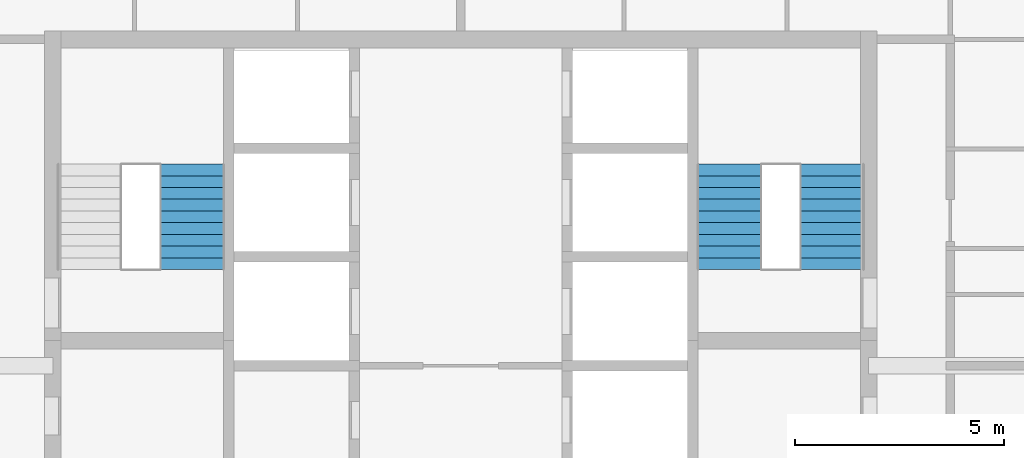
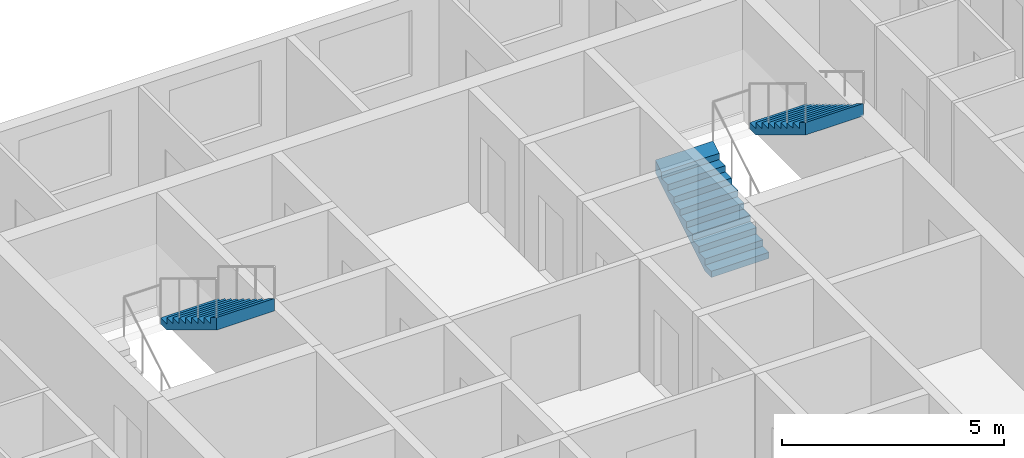
# One storey, part 14 of 16: 3 stair flights, 2 elements without a shape of their own.
"""IFC4 building model written with IfcOpenShell, lengths in metres."""

from ifc_helpers import new_model, si_unit, direction, frame, origin, place, context, subcontext, project, spatial, triangles, material, type_object, element, aggregate, save


model = new_model("IFC4")

# Units and contexts
model_context = context("Model", 3, precision=1e-05, world=origin(), true_north=direction((0.0, 1.0)))
body_context = subcontext(model_context, "Body", "Model", "MODEL_VIEW")
ifc_project = project(units=[si_unit("LENGTHUNIT", "METRE"), si_unit("AREAUNIT", "SQUARE_METRE"), si_unit("VOLUMEUNIT", "CUBIC_METRE"), si_unit("PLANEANGLEUNIT", "RADIAN"), si_unit("MASSUNIT", "GRAM", prefix="KILO")], contexts=[model_context])

# Site, building, storey
site_placement = place(None, origin())
site = spatial("IfcSite", under=ifc_project, at=site_placement, CompositionType="ELEMENT")
building_placement = place(site_placement, origin())
building = spatial("IfcBuilding", under=site, at=building_placement, Name="Ludao Terraces", CompositionType="ELEMENT")
storey_placement = place(building_placement, frame((0.0, 0.0, 238.10009765625)))
storey = spatial("IfcBuildingStorey", under=building, at=storey_placement, Name="L65", CompositionType="ELEMENT", Elevation=238.10009765625)

# Stair, stair flight
ifc_material = material(Name="Concrete C40", Category="concrete")
stair_type = type_object("IfcStairType", Name="INT Stair", PredefinedType="HALF_TURN_STAIR", material=ifc_material)
stair_1_placement = place(storey_placement, origin())
stair_1 = element("IfcStair", 1, at=stair_1_placement, inside=storey, type_object=stair_type, Name="EXIT STAIR 1", PredefinedType="HALF_TURN_STAIR")
stair_flight_type = type_object("IfcStairFlightType", Name="INT Stair flight", PredefinedType="STRAIGHT", material=ifc_material)
stair_flight_1_placement = place(storey_placement, frame((78.574951171875, 81.52001953125, 1.699951171875), z_axis=(0.0, 0.0, 1.0), x_axis=(0.0, -1.0, 0.0)))
stair_flight_1 = element("IfcStairFlight", 2, at=stair_flight_1_placement, type_object=stair_flight_type, Name="ST1 flight 2", NumberOfRisers=10, NumberOfTreads=9, PredefinedType="STRAIGHT", RiserHeight=0.17, TreadLength=0.28, context=body_context, shape_type="Tessellation", body=[
    triangles([(0.0, -0.75, 0.0), (0.0, -0.5, 0.0), (0.0, -0.25, 0.0), (0.0, 0.0, 0.0), (0.0, 0.25, 0.0), (0.0, 0.5, 0.0), (0.0, 0.75, 0.0), (0.0, -0.75, 0.169921875), (0.0, -0.5, 0.169921875), (0.0, -0.25, 0.169921875), (0.0, 0.0, 0.169921875), (0.0, 0.25, 0.169921875), (0.0, 0.5, 0.169921875), (0.0, 0.75, 0.169921875), (0.280029296875, -0.75, 0.169921875), (0.280029296875, -0.5, 0.169921875), (0.280029296875, -0.25, 0.169921875), (0.280029296875, 0.0, 0.169921875), (0.280029296875, 0.25, 0.169921875), (0.280029296875, 0.5, 0.169921875), (0.280029296875, 0.75, 0.169921875), (0.280029296875, -0.75, 0.340087890625), (0.280029296875, -0.5, 0.340087890625), (0.280029296875, -0.25, 0.340087890625), (0.280029296875, 0.0, 0.340087890625), (0.280029296875, 0.25, 0.340087890625), (0.280029296875, 0.5, 0.340087890625), (0.280029296875, 0.75, 0.340087890625), (0.56005859375, -0.75, 0.340087890625), (0.56005859375, -0.5, 0.340087890625), (0.56005859375, -0.25, 0.340087890625), (0.56005859375, 0.0, 0.340087890625), (0.56005859375, 0.25, 0.340087890625), (0.56005859375, 0.5, 0.340087890625), (0.56005859375, 0.75, 0.340087890625), (0.56005859375, -0.75, 0.510009765625), (0.56005859375, -0.5, 0.510009765625), (0.56005859375, -0.25, 0.510009765625), (0.56005859375, 0.0, 0.510009765625), (0.56005859375, 0.25, 0.510009765625), (0.56005859375, 0.5, 0.510009765625), (0.56005859375, 0.75, 0.510009765625), (0.840087890625, -0.75, 0.510009765625), (0.840087890625, -0.5, 0.510009765625), (0.840087890625, -0.25, 0.510009765625), (0.840087890625, 0.0, 0.510009765625), (0.840087890625, 0.25, 0.510009765625), (0.840087890625, 0.5, 0.510009765625), (0.840087890625, 0.75, 0.510009765625), (0.840087890625, -0.75, 0.679931640625), (0.840087890625, -0.5, 0.679931640625), (0.840087890625, -0.25, 0.679931640625), (0.840087890625, 0.0, 0.679931640625), (0.840087890625, 0.25, 0.679931640625), (0.840087890625, 0.5, 0.679931640625), (0.840087890625, 0.75, 0.679931640625), (1.1201171875, -0.75, 0.679931640625), (1.1201171875, -0.5, 0.679931640625), (1.1201171875, -0.25, 0.679931640625), (1.1201171875, 0.0, 0.679931640625), (1.1201171875, 0.25, 0.679931640625), (1.1201171875, 0.5, 0.679931640625), (1.1201171875, 0.75, 0.679931640625), (1.1201171875, -0.75, 0.85009765625), (1.1201171875, -0.5, 0.85009765625), (1.1201171875, -0.25, 0.85009765625), (1.1201171875, 0.0, 0.85009765625), (1.1201171875, 0.25, 0.85009765625), (1.1201171875, 0.5, 0.85009765625), (1.1201171875, 0.75, 0.85009765625), (1.39990234375, -0.75, 0.85009765625), (1.39990234375, -0.5, 0.85009765625), (1.39990234375, -0.25, 0.85009765625), (1.39990234375, 0.0, 0.85009765625), (1.39990234375, 0.25, 0.85009765625), (1.39990234375, 0.5, 0.85009765625), (1.39990234375, 0.75, 0.85009765625), (1.39990234375, -0.75, 1.02001953125), (1.39990234375, -0.5, 1.02001953125), (1.39990234375, -0.25, 1.02001953125), (1.39990234375, 0.0, 1.02001953125), (1.39990234375, 0.25, 1.02001953125), (1.39990234375, 0.5, 1.02001953125), (1.39990234375, 0.75, 1.02001953125), (1.679931640625, -0.75, 1.02001953125), (1.679931640625, -0.5, 1.02001953125), (1.679931640625, -0.25, 1.02001953125), (1.679931640625, 0.0, 1.02001953125), (1.679931640625, 0.25, 1.02001953125), (1.679931640625, 0.5, 1.02001953125), (1.679931640625, 0.75, 1.02001953125), (1.679931640625, -0.75, 1.18994140625), (1.679931640625, -0.5, 1.18994140625), (1.679931640625, -0.25, 1.18994140625), (1.679931640625, 0.0, 1.18994140625), (1.679931640625, 0.25, 1.18994140625), (1.679931640625, 0.5, 1.18994140625), (1.679931640625, 0.75, 1.18994140625), (1.9599609375, -0.75, 1.18994140625), (1.9599609375, -0.5, 1.18994140625), (1.9599609375, -0.25, 1.18994140625), (1.9599609375, 0.0, 1.18994140625), (1.9599609375, 0.25, 1.18994140625), (1.9599609375, 0.5, 1.18994140625), (1.9599609375, 0.75, 1.18994140625), (1.9599609375, -0.75, 1.360107421875), (1.9599609375, -0.5, 1.360107421875), (1.9599609375, -0.25, 1.360107421875), (1.9599609375, 0.0, 1.360107421875), (1.9599609375, 0.25, 1.360107421875), (1.9599609375, 0.5, 1.360107421875), (1.9599609375, 0.75, 1.360107421875), (2.239990234375, -0.75, 1.360107421875), (2.239990234375, -0.5, 1.360107421875), (2.239990234375, -0.25, 1.360107421875), (2.239990234375, 0.0, 1.360107421875), (2.239990234375, 0.25, 1.360107421875), (2.239990234375, 0.5, 1.360107421875), (2.239990234375, 0.75, 1.360107421875), (2.239990234375, -0.75, 1.530029296875), (2.239990234375, -0.5, 1.530029296875), (2.239990234375, -0.25, 1.530029296875), (2.239990234375, 0.0, 1.530029296875), (2.239990234375, 0.25, 1.530029296875), (2.239990234375, 0.5, 1.530029296875), (2.239990234375, 0.75, 1.530029296875), (2.52001953125, -0.75, 1.699951171875), (2.52001953125, -0.5, 1.699951171875), (2.52001953125, -0.25, 1.699951171875), (2.52001953125, 0.0, 1.699951171875), (2.52001953125, 0.25, 1.699951171875), (2.52001953125, 0.5, 1.699951171875), (2.52001953125, 0.75, 1.699951171875), (2.52001953125, -0.75, 1.354736328125), (2.52001953125, -0.5, 1.354736328125), (2.52001953125, -0.25, 1.354736328125), (2.52001953125, 0.0, 1.354736328125), (2.52001953125, 0.25, 1.354736328125), (2.52001953125, 0.5, 1.354736328125), (2.52001953125, 0.75, 1.354736328125), (0.288818359375, -0.75, 0.0), (0.288818359375, -0.5, 0.0), (0.288818359375, -0.25, 0.0), (0.288818359375, 0.0, 0.0), (0.288818359375, 0.25, 0.0), (0.288818359375, 0.5, 0.0), (0.288818359375, 0.75, 0.0)], [[1, 141, 134], [7, 140, 147], [134, 127, 120], [140, 126, 133], [134, 120, 113], [140, 119, 126], [134, 113, 106], [140, 112, 119], [134, 106, 99], [140, 105, 112], [99, 92, 85], [105, 91, 98], [134, 99, 85], [140, 91, 105], [85, 78, 71], [91, 77, 84], [134, 85, 71], [140, 77, 91], [71, 64, 57], [77, 63, 70], [134, 71, 57], [140, 63, 77], [57, 50, 43], [63, 49, 56], [134, 57, 43], [140, 49, 63], [43, 36, 29], [49, 35, 42], [134, 43, 29], [140, 35, 49], [29, 22, 15], [35, 21, 28], [134, 29, 15], [140, 21, 35], [1, 134, 15], [7, 21, 140], [15, 8, 1], [21, 7, 14], [1, 9, 2], [1, 8, 9], [2, 10, 3], [2, 9, 10], [3, 11, 4], [3, 10, 11], [4, 12, 5], [4, 11, 12], [5, 13, 6], [5, 12, 13], [6, 14, 7], [6, 13, 14], [8, 16, 9], [8, 15, 16], [9, 17, 10], [9, 16, 17], [10, 18, 11], [10, 17, 18], [11, 19, 12], [11, 18, 19], [12, 20, 13], [12, 19, 20], [13, 21, 14], [13, 20, 21], [15, 23, 16], [15, 22, 23], [16, 24, 17], [16, 23, 24], [17, 25, 18], [17, 24, 25], [18, 26, 19], [18, 25, 26], [19, 27, 20], [19, 26, 27], [20, 28, 21], [20, 27, 28], [22, 30, 23], [22, 29, 30], [23, 31, 24], [23, 30, 31], [24, 32, 25], [24, 31, 32], [25, 33, 26], [25, 32, 33], [26, 34, 27], [26, 33, 34], [27, 35, 28], [27, 34, 35], [29, 37, 30], [29, 36, 37], [30, 38, 31], [30, 37, 38], [31, 39, 32], [31, 38, 39], [32, 40, 33], [32, 39, 40], [33, 41, 34], [33, 40, 41], [34, 42, 35], [34, 41, 42], [36, 44, 37], [36, 43, 44], [37, 45, 38], [37, 44, 45], [38, 46, 39], [38, 45, 46], [39, 47, 40], [39, 46, 47], [40, 48, 41], [40, 47, 48], [41, 49, 42], [41, 48, 49], [43, 51, 44], [43, 50, 51], [44, 52, 45], [44, 51, 52], [45, 53, 46], [45, 52, 53], [46, 54, 47], [46, 53, 54], [47, 55, 48], [47, 54, 55], [48, 56, 49], [48, 55, 56], [50, 58, 51], [50, 57, 58], [51, 59, 52], [51, 58, 59], [52, 60, 53], [52, 59, 60], [53, 61, 54], [53, 60, 61], [54, 62, 55], [54, 61, 62], [55, 63, 56], [55, 62, 63], [57, 65, 58], [57, 64, 65], [58, 66, 59], [58, 65, 66], [59, 67, 60], [59, 66, 67], [60, 68, 61], [60, 67, 68], [61, 69, 62], [61, 68, 69], [62, 70, 63], [62, 69, 70], [64, 72, 65], [64, 71, 72], [65, 73, 66], [65, 72, 73], [66, 74, 67], [66, 73, 74], [67, 75, 68], [67, 74, 75], [68, 76, 69], [68, 75, 76], [69, 77, 70], [69, 76, 77], [71, 79, 72], [71, 78, 79], [72, 80, 73], [72, 79, 80], [73, 81, 74], [73, 80, 81], [74, 82, 75], [74, 81, 82], [75, 83, 76], [75, 82, 83], [76, 84, 77], [76, 83, 84], [78, 86, 79], [78, 85, 86], [79, 87, 80], [79, 86, 87], [80, 88, 81], [80, 87, 88], [81, 89, 82], [81, 88, 89], [82, 90, 83], [82, 89, 90], [83, 91, 84], [83, 90, 91], [85, 93, 86], [85, 92, 93], [86, 94, 87], [86, 93, 94], [87, 95, 88], [87, 94, 95], [88, 96, 89], [88, 95, 96], [89, 97, 90], [89, 96, 97], [90, 98, 91], [90, 97, 98], [92, 100, 93], [92, 99, 100], [93, 101, 94], [93, 100, 101], [94, 102, 95], [94, 101, 102], [95, 103, 96], [95, 102, 103], [96, 104, 97], [96, 103, 104], [97, 105, 98], [97, 104, 105], [99, 107, 100], [99, 106, 107], [100, 108, 101], [100, 107, 108], [101, 109, 102], [101, 108, 109], [102, 110, 103], [102, 109, 110], [103, 111, 104], [103, 110, 111], [104, 112, 105], [104, 111, 112], [106, 114, 107], [106, 113, 114], [107, 115, 108], [107, 114, 115], [108, 116, 109], [108, 115, 116], [109, 117, 110], [109, 116, 117], [110, 118, 111], [110, 117, 118], [111, 119, 112], [111, 118, 119], [113, 121, 114], [113, 120, 121], [114, 122, 115], [114, 121, 122], [115, 123, 116], [115, 122, 123], [116, 124, 117], [116, 123, 124], [117, 125, 118], [117, 124, 125], [118, 126, 119], [118, 125, 126], [120, 128, 121], [120, 127, 128], [121, 129, 122], [121, 128, 129], [122, 130, 123], [122, 129, 130], [123, 131, 124], [123, 130, 131], [124, 132, 125], [124, 131, 132], [125, 133, 126], [125, 132, 133], [127, 135, 128], [127, 134, 135], [128, 136, 129], [128, 135, 136], [129, 137, 130], [129, 136, 137], [130, 138, 131], [130, 137, 138], [131, 139, 132], [131, 138, 139], [132, 140, 133], [132, 139, 140], [134, 142, 135], [134, 141, 142], [135, 143, 136], [135, 142, 143], [136, 144, 137], [136, 143, 144], [137, 145, 138], [137, 144, 145], [138, 146, 139], [138, 145, 146], [139, 147, 140], [139, 146, 147], [141, 2, 142], [141, 1, 2], [142, 3, 143], [142, 2, 3], [143, 4, 144], [143, 3, 4], [144, 5, 145], [144, 4, 5], [145, 6, 146], [145, 5, 6], [146, 7, 147], [146, 6, 7]], closed=True),
])
aggregate(stair_1, [stair_flight_1])

# Stair, stair flights
stair_2_placement = place(storey_placement, origin())
stair_2 = element("IfcStair", 3, at=stair_2_placement, inside=storey, type_object=stair_type, Name="EXIT STAIR 2", PredefinedType="HALF_TURN_STAIR")
stair_flight_2_placement = place(storey_placement, frame((91.425048828125, 79.0, 0.0), z_axis=(0.0, 0.0, 1.0), x_axis=(0.0, 1.0, 0.0)))
stair_flight_2 = element("IfcStairFlight", 4, at=stair_flight_2_placement, type_object=stair_flight_type, Name="ST2 flight 1", NumberOfRisers=10, NumberOfTreads=9, PredefinedType="STRAIGHT", RiserHeight=0.17, TreadLength=0.28, context=body_context, shape_type="Tessellation", body=[
    triangles([(0.0, -0.75, 0.0), (0.0, -0.5, 0.0), (0.0, -0.25, 0.0), (0.0, 0.0, 0.0), (0.0, 0.25, 0.0), (0.0, 0.5, 0.0), (0.0, 0.75, 0.0), (0.0, -0.75, 0.169921875), (0.0, -0.5, 0.169921875), (0.0, -0.25, 0.169921875), (0.0, 0.0, 0.169921875), (0.0, 0.25, 0.169921875), (0.0, 0.5, 0.169921875), (0.0, 0.75, 0.169921875), (0.280029296875, -0.75, 0.169921875), (0.280029296875, -0.5, 0.169921875), (0.280029296875, -0.25, 0.169921875), (0.280029296875, 0.0, 0.169921875), (0.280029296875, 0.25, 0.169921875), (0.280029296875, 0.5, 0.169921875), (0.280029296875, 0.75, 0.169921875), (0.280029296875, -0.75, 0.340087890625), (0.280029296875, -0.5, 0.340087890625), (0.280029296875, -0.25, 0.340087890625), (0.280029296875, 0.0, 0.340087890625), (0.280029296875, 0.25, 0.340087890625), (0.280029296875, 0.5, 0.340087890625), (0.280029296875, 0.75, 0.340087890625), (0.56005859375, -0.75, 0.340087890625), (0.56005859375, -0.5, 0.340087890625), (0.56005859375, -0.25, 0.340087890625), (0.56005859375, 0.0, 0.340087890625), (0.56005859375, 0.25, 0.340087890625), (0.56005859375, 0.5, 0.340087890625), (0.56005859375, 0.75, 0.340087890625), (0.56005859375, -0.75, 0.510009765625), (0.56005859375, -0.5, 0.510009765625), (0.56005859375, -0.25, 0.510009765625), (0.56005859375, 0.0, 0.510009765625), (0.56005859375, 0.25, 0.510009765625), (0.56005859375, 0.5, 0.510009765625), (0.56005859375, 0.75, 0.510009765625), (0.840087890625, -0.75, 0.510009765625), (0.840087890625, -0.5, 0.510009765625), (0.840087890625, -0.25, 0.510009765625), (0.840087890625, 0.0, 0.510009765625), (0.840087890625, 0.25, 0.510009765625), (0.840087890625, 0.5, 0.510009765625), (0.840087890625, 0.75, 0.510009765625), (0.840087890625, -0.75, 0.679931640625), (0.840087890625, -0.5, 0.679931640625), (0.840087890625, -0.25, 0.679931640625), (0.840087890625, 0.0, 0.679931640625), (0.840087890625, 0.25, 0.679931640625), (0.840087890625, 0.5, 0.679931640625), (0.840087890625, 0.75, 0.679931640625), (1.1201171875, -0.75, 0.679931640625), (1.1201171875, -0.5, 0.679931640625), (1.1201171875, -0.25, 0.679931640625), (1.1201171875, 0.0, 0.679931640625), (1.1201171875, 0.25, 0.679931640625), (1.1201171875, 0.5, 0.679931640625), (1.1201171875, 0.75, 0.679931640625), (1.1201171875, -0.75, 0.85009765625), (1.1201171875, -0.5, 0.85009765625), (1.1201171875, -0.25, 0.85009765625), (1.1201171875, 0.0, 0.85009765625), (1.1201171875, 0.25, 0.85009765625), (1.1201171875, 0.5, 0.85009765625), (1.1201171875, 0.75, 0.85009765625), (1.39990234375, -0.75, 0.85009765625), (1.39990234375, -0.5, 0.85009765625), (1.39990234375, -0.25, 0.85009765625), (1.39990234375, 0.0, 0.85009765625), (1.39990234375, 0.25, 0.85009765625), (1.39990234375, 0.5, 0.85009765625), (1.39990234375, 0.75, 0.85009765625), (1.39990234375, -0.75, 1.02001953125), (1.39990234375, -0.5, 1.02001953125), (1.39990234375, -0.25, 1.02001953125), (1.39990234375, 0.0, 1.02001953125), (1.39990234375, 0.25, 1.02001953125), (1.39990234375, 0.5, 1.02001953125), (1.39990234375, 0.75, 1.02001953125), (1.679931640625, -0.75, 1.02001953125), (1.679931640625, -0.5, 1.02001953125), (1.679931640625, -0.25, 1.02001953125), (1.679931640625, 0.0, 1.02001953125), (1.679931640625, 0.25, 1.02001953125), (1.679931640625, 0.5, 1.02001953125), (1.679931640625, 0.75, 1.02001953125), (1.679931640625, -0.75, 1.18994140625), (1.679931640625, -0.5, 1.18994140625), (1.679931640625, -0.25, 1.18994140625), (1.679931640625, 0.0, 1.18994140625), (1.679931640625, 0.25, 1.18994140625), (1.679931640625, 0.5, 1.18994140625), (1.679931640625, 0.75, 1.18994140625), (1.9599609375, -0.75, 1.18994140625), (1.9599609375, -0.5, 1.18994140625), (1.9599609375, -0.25, 1.18994140625), (1.9599609375, 0.0, 1.18994140625), (1.9599609375, 0.25, 1.18994140625), (1.9599609375, 0.5, 1.18994140625), (1.9599609375, 0.75, 1.18994140625), (1.9599609375, -0.75, 1.360107421875), (1.9599609375, -0.5, 1.360107421875), (1.9599609375, -0.25, 1.360107421875), (1.9599609375, 0.0, 1.360107421875), (1.9599609375, 0.25, 1.360107421875), (1.9599609375, 0.5, 1.360107421875), (1.9599609375, 0.75, 1.360107421875), (2.239990234375, -0.75, 1.360107421875), (2.239990234375, -0.5, 1.360107421875), (2.239990234375, -0.25, 1.360107421875), (2.239990234375, 0.0, 1.360107421875), (2.239990234375, 0.25, 1.360107421875), (2.239990234375, 0.5, 1.360107421875), (2.239990234375, 0.75, 1.360107421875), (2.239990234375, -0.75, 1.530029296875), (2.239990234375, -0.5, 1.530029296875), (2.239990234375, -0.25, 1.530029296875), (2.239990234375, 0.0, 1.530029296875), (2.239990234375, 0.25, 1.530029296875), (2.239990234375, 0.5, 1.530029296875), (2.239990234375, 0.75, 1.530029296875), (2.52001953125, -0.75, 1.699951171875), (2.52001953125, -0.5, 1.699951171875), (2.52001953125, -0.25, 1.699951171875), (2.52001953125, 0.0, 1.699951171875), (2.52001953125, 0.25, 1.699951171875), (2.52001953125, 0.5, 1.699951171875), (2.52001953125, 0.75, 1.699951171875), (2.52001953125, -0.75, 1.354736328125), (2.52001953125, -0.5, 1.354736328125), (2.52001953125, -0.25, 1.354736328125), (2.52001953125, 0.0, 1.354736328125), (2.52001953125, 0.25, 1.354736328125), (2.52001953125, 0.5, 1.354736328125), (2.52001953125, 0.75, 1.354736328125), (0.288818359375, -0.75, 0.0), (0.288818359375, -0.5, 0.0), (0.288818359375, -0.25, 0.0), (0.288818359375, 0.0, 0.0), (0.288818359375, 0.25, 0.0), (0.288818359375, 0.5, 0.0), (0.288818359375, 0.75, 0.0)], [[1, 141, 134], [7, 140, 147], [134, 127, 120], [140, 126, 133], [134, 120, 113], [140, 119, 126], [134, 113, 106], [140, 112, 119], [134, 106, 99], [140, 105, 112], [99, 92, 85], [105, 91, 98], [134, 99, 85], [140, 91, 105], [85, 78, 71], [91, 77, 84], [134, 85, 71], [140, 77, 91], [71, 64, 57], [77, 63, 70], [134, 71, 57], [140, 63, 77], [57, 50, 43], [63, 49, 56], [134, 57, 43], [140, 49, 63], [43, 36, 29], [49, 35, 42], [134, 43, 29], [140, 35, 49], [29, 22, 15], [35, 21, 28], [134, 29, 15], [140, 21, 35], [1, 134, 15], [7, 21, 140], [15, 8, 1], [21, 7, 14], [1, 9, 2], [1, 8, 9], [2, 10, 3], [2, 9, 10], [3, 11, 4], [3, 10, 11], [4, 12, 5], [4, 11, 12], [5, 13, 6], [5, 12, 13], [6, 14, 7], [6, 13, 14], [8, 16, 9], [8, 15, 16], [9, 17, 10], [9, 16, 17], [10, 18, 11], [10, 17, 18], [11, 19, 12], [11, 18, 19], [12, 20, 13], [12, 19, 20], [13, 21, 14], [13, 20, 21], [15, 23, 16], [15, 22, 23], [16, 24, 17], [16, 23, 24], [17, 25, 18], [17, 24, 25], [18, 26, 19], [18, 25, 26], [19, 27, 20], [19, 26, 27], [20, 28, 21], [20, 27, 28], [22, 30, 23], [22, 29, 30], [23, 31, 24], [23, 30, 31], [24, 32, 25], [24, 31, 32], [25, 33, 26], [25, 32, 33], [26, 34, 27], [26, 33, 34], [27, 35, 28], [27, 34, 35], [29, 37, 30], [29, 36, 37], [30, 38, 31], [30, 37, 38], [31, 39, 32], [31, 38, 39], [32, 40, 33], [32, 39, 40], [33, 41, 34], [33, 40, 41], [34, 42, 35], [34, 41, 42], [36, 44, 37], [36, 43, 44], [37, 45, 38], [37, 44, 45], [38, 46, 39], [38, 45, 46], [39, 47, 40], [39, 46, 47], [40, 48, 41], [40, 47, 48], [41, 49, 42], [41, 48, 49], [43, 51, 44], [43, 50, 51], [44, 52, 45], [44, 51, 52], [45, 53, 46], [45, 52, 53], [46, 54, 47], [46, 53, 54], [47, 55, 48], [47, 54, 55], [48, 56, 49], [48, 55, 56], [50, 58, 51], [50, 57, 58], [51, 59, 52], [51, 58, 59], [52, 60, 53], [52, 59, 60], [53, 61, 54], [53, 60, 61], [54, 62, 55], [54, 61, 62], [55, 63, 56], [55, 62, 63], [57, 65, 58], [57, 64, 65], [58, 66, 59], [58, 65, 66], [59, 67, 60], [59, 66, 67], [60, 68, 61], [60, 67, 68], [61, 69, 62], [61, 68, 69], [62, 70, 63], [62, 69, 70], [64, 72, 65], [64, 71, 72], [65, 73, 66], [65, 72, 73], [66, 74, 67], [66, 73, 74], [67, 75, 68], [67, 74, 75], [68, 76, 69], [68, 75, 76], [69, 77, 70], [69, 76, 77], [71, 79, 72], [71, 78, 79], [72, 80, 73], [72, 79, 80], [73, 81, 74], [73, 80, 81], [74, 82, 75], [74, 81, 82], [75, 83, 76], [75, 82, 83], [76, 84, 77], [76, 83, 84], [78, 86, 79], [78, 85, 86], [79, 87, 80], [79, 86, 87], [80, 88, 81], [80, 87, 88], [81, 89, 82], [81, 88, 89], [82, 90, 83], [82, 89, 90], [83, 91, 84], [83, 90, 91], [85, 93, 86], [85, 92, 93], [86, 94, 87], [86, 93, 94], [87, 95, 88], [87, 94, 95], [88, 96, 89], [88, 95, 96], [89, 97, 90], [89, 96, 97], [90, 98, 91], [90, 97, 98], [92, 100, 93], [92, 99, 100], [93, 101, 94], [93, 100, 101], [94, 102, 95], [94, 101, 102], [95, 103, 96], [95, 102, 103], [96, 104, 97], [96, 103, 104], [97, 105, 98], [97, 104, 105], [99, 107, 100], [99, 106, 107], [100, 108, 101], [100, 107, 108], [101, 109, 102], [101, 108, 109], [102, 110, 103], [102, 109, 110], [103, 111, 104], [103, 110, 111], [104, 112, 105], [104, 111, 112], [106, 114, 107], [106, 113, 114], [107, 115, 108], [107, 114, 115], [108, 116, 109], [108, 115, 116], [109, 117, 110], [109, 116, 117], [110, 118, 111], [110, 117, 118], [111, 119, 112], [111, 118, 119], [113, 121, 114], [113, 120, 121], [114, 122, 115], [114, 121, 122], [115, 123, 116], [115, 122, 123], [116, 124, 117], [116, 123, 124], [117, 125, 118], [117, 124, 125], [118, 126, 119], [118, 125, 126], [120, 128, 121], [120, 127, 128], [121, 129, 122], [121, 128, 129], [122, 130, 123], [122, 129, 130], [123, 131, 124], [123, 130, 131], [124, 132, 125], [124, 131, 132], [125, 133, 126], [125, 132, 133], [127, 135, 128], [127, 134, 135], [128, 136, 129], [128, 135, 136], [129, 137, 130], [129, 136, 137], [130, 138, 131], [130, 137, 138], [131, 139, 132], [131, 138, 139], [132, 140, 133], [132, 139, 140], [134, 142, 135], [134, 141, 142], [135, 143, 136], [135, 142, 143], [136, 144, 137], [136, 143, 144], [137, 145, 138], [137, 144, 145], [138, 146, 139], [138, 145, 146], [139, 147, 140], [139, 146, 147], [141, 2, 142], [141, 1, 2], [142, 3, 143], [142, 2, 3], [143, 4, 144], [143, 3, 4], [144, 5, 145], [144, 4, 5], [145, 6, 146], [145, 5, 6], [146, 7, 147], [146, 6, 7]], closed=True),
])
stair_flight_3_placement = place(storey_placement, frame((93.875, 81.52001953125, 1.699951171875), z_axis=(0.0, 0.0, 1.0), x_axis=(0.0, -1.0, 0.0)))
stair_flight_3 = element("IfcStairFlight", 5, at=stair_flight_3_placement, type_object=stair_flight_type, Name="ST2 flight 2", NumberOfRisers=10, NumberOfTreads=9, PredefinedType="STRAIGHT", RiserHeight=0.17, TreadLength=0.28, context=body_context, shape_type="Tessellation", body=[
    triangles([(0.0, -0.75, 0.0), (0.0, -0.5, 0.0), (0.0, -0.25, 0.0), (0.0, 0.0, 0.0), (0.0, 0.25, 0.0), (0.0, 0.5, 0.0), (0.0, 0.75, 0.0), (0.0, -0.75, 0.169921875), (0.0, -0.5, 0.169921875), (0.0, -0.25, 0.169921875), (0.0, 0.0, 0.169921875), (0.0, 0.25, 0.169921875), (0.0, 0.5, 0.169921875), (0.0, 0.75, 0.169921875), (0.280029296875, -0.75, 0.169921875), (0.280029296875, -0.5, 0.169921875), (0.280029296875, -0.25, 0.169921875), (0.280029296875, 0.0, 0.169921875), (0.280029296875, 0.25, 0.169921875), (0.280029296875, 0.5, 0.169921875), (0.280029296875, 0.75, 0.169921875), (0.280029296875, -0.75, 0.340087890625), (0.280029296875, -0.5, 0.340087890625), (0.280029296875, -0.25, 0.340087890625), (0.280029296875, 0.0, 0.340087890625), (0.280029296875, 0.25, 0.340087890625), (0.280029296875, 0.5, 0.340087890625), (0.280029296875, 0.75, 0.340087890625), (0.56005859375, -0.75, 0.340087890625), (0.56005859375, -0.5, 0.340087890625), (0.56005859375, -0.25, 0.340087890625), (0.56005859375, 0.0, 0.340087890625), (0.56005859375, 0.25, 0.340087890625), (0.56005859375, 0.5, 0.340087890625), (0.56005859375, 0.75, 0.340087890625), (0.56005859375, -0.75, 0.510009765625), (0.56005859375, -0.5, 0.510009765625), (0.56005859375, -0.25, 0.510009765625), (0.56005859375, 0.0, 0.510009765625), (0.56005859375, 0.25, 0.510009765625), (0.56005859375, 0.5, 0.510009765625), (0.56005859375, 0.75, 0.510009765625), (0.840087890625, -0.75, 0.510009765625), (0.840087890625, -0.5, 0.510009765625), (0.840087890625, -0.25, 0.510009765625), (0.840087890625, 0.0, 0.510009765625), (0.840087890625, 0.25, 0.510009765625), (0.840087890625, 0.5, 0.510009765625), (0.840087890625, 0.75, 0.510009765625), (0.840087890625, -0.75, 0.679931640625), (0.840087890625, -0.5, 0.679931640625), (0.840087890625, -0.25, 0.679931640625), (0.840087890625, 0.0, 0.679931640625), (0.840087890625, 0.25, 0.679931640625), (0.840087890625, 0.5, 0.679931640625), (0.840087890625, 0.75, 0.679931640625), (1.1201171875, -0.75, 0.679931640625), (1.1201171875, -0.5, 0.679931640625), (1.1201171875, -0.25, 0.679931640625), (1.1201171875, 0.0, 0.679931640625), (1.1201171875, 0.25, 0.679931640625), (1.1201171875, 0.5, 0.679931640625), (1.1201171875, 0.75, 0.679931640625), (1.1201171875, -0.75, 0.85009765625), (1.1201171875, -0.5, 0.85009765625), (1.1201171875, -0.25, 0.85009765625), (1.1201171875, 0.0, 0.85009765625), (1.1201171875, 0.25, 0.85009765625), (1.1201171875, 0.5, 0.85009765625), (1.1201171875, 0.75, 0.85009765625), (1.39990234375, -0.75, 0.85009765625), (1.39990234375, -0.5, 0.85009765625), (1.39990234375, -0.25, 0.85009765625), (1.39990234375, 0.0, 0.85009765625), (1.39990234375, 0.25, 0.85009765625), (1.39990234375, 0.5, 0.85009765625), (1.39990234375, 0.75, 0.85009765625), (1.39990234375, -0.75, 1.02001953125), (1.39990234375, -0.5, 1.02001953125), (1.39990234375, -0.25, 1.02001953125), (1.39990234375, 0.0, 1.02001953125), (1.39990234375, 0.25, 1.02001953125), (1.39990234375, 0.5, 1.02001953125), (1.39990234375, 0.75, 1.02001953125), (1.679931640625, -0.75, 1.02001953125), (1.679931640625, -0.5, 1.02001953125), (1.679931640625, -0.25, 1.02001953125), (1.679931640625, 0.0, 1.02001953125), (1.679931640625, 0.25, 1.02001953125), (1.679931640625, 0.5, 1.02001953125), (1.679931640625, 0.75, 1.02001953125), (1.679931640625, -0.75, 1.18994140625), (1.679931640625, -0.5, 1.18994140625), (1.679931640625, -0.25, 1.18994140625), (1.679931640625, 0.0, 1.18994140625), (1.679931640625, 0.25, 1.18994140625), (1.679931640625, 0.5, 1.18994140625), (1.679931640625, 0.75, 1.18994140625), (1.9599609375, -0.75, 1.18994140625), (1.9599609375, -0.5, 1.18994140625), (1.9599609375, -0.25, 1.18994140625), (1.9599609375, 0.0, 1.18994140625), (1.9599609375, 0.25, 1.18994140625), (1.9599609375, 0.5, 1.18994140625), (1.9599609375, 0.75, 1.18994140625), (1.9599609375, -0.75, 1.360107421875), (1.9599609375, -0.5, 1.360107421875), (1.9599609375, -0.25, 1.360107421875), (1.9599609375, 0.0, 1.360107421875), (1.9599609375, 0.25, 1.360107421875), (1.9599609375, 0.5, 1.360107421875), (1.9599609375, 0.75, 1.360107421875), (2.239990234375, -0.75, 1.360107421875), (2.239990234375, -0.5, 1.360107421875), (2.239990234375, -0.25, 1.360107421875), (2.239990234375, 0.0, 1.360107421875), (2.239990234375, 0.25, 1.360107421875), (2.239990234375, 0.5, 1.360107421875), (2.239990234375, 0.75, 1.360107421875), (2.239990234375, -0.75, 1.530029296875), (2.239990234375, -0.5, 1.530029296875), (2.239990234375, -0.25, 1.530029296875), (2.239990234375, 0.0, 1.530029296875), (2.239990234375, 0.25, 1.530029296875), (2.239990234375, 0.5, 1.530029296875), (2.239990234375, 0.75, 1.530029296875), (2.52001953125, -0.75, 1.699951171875), (2.52001953125, -0.5, 1.699951171875), (2.52001953125, -0.25, 1.699951171875), (2.52001953125, 0.0, 1.699951171875), (2.52001953125, 0.25, 1.699951171875), (2.52001953125, 0.5, 1.699951171875), (2.52001953125, 0.75, 1.699951171875), (2.52001953125, -0.75, 1.354736328125), (2.52001953125, -0.5, 1.354736328125), (2.52001953125, -0.25, 1.354736328125), (2.52001953125, 0.0, 1.354736328125), (2.52001953125, 0.25, 1.354736328125), (2.52001953125, 0.5, 1.354736328125), (2.52001953125, 0.75, 1.354736328125), (0.288818359375, -0.75, 0.0), (0.288818359375, -0.5, 0.0), (0.288818359375, -0.25, 0.0), (0.288818359375, 0.0, 0.0), (0.288818359375, 0.25, 0.0), (0.288818359375, 0.5, 0.0), (0.288818359375, 0.75, 0.0)], [[1, 141, 134], [7, 140, 147], [134, 127, 120], [140, 126, 133], [134, 120, 113], [140, 119, 126], [134, 113, 106], [140, 112, 119], [134, 106, 99], [140, 105, 112], [99, 92, 85], [105, 91, 98], [134, 99, 85], [140, 91, 105], [85, 78, 71], [91, 77, 84], [134, 85, 71], [140, 77, 91], [71, 64, 57], [77, 63, 70], [134, 71, 57], [140, 63, 77], [57, 50, 43], [63, 49, 56], [134, 57, 43], [140, 49, 63], [43, 36, 29], [49, 35, 42], [134, 43, 29], [140, 35, 49], [29, 22, 15], [35, 21, 28], [134, 29, 15], [140, 21, 35], [1, 134, 15], [7, 21, 140], [15, 8, 1], [21, 7, 14], [1, 9, 2], [1, 8, 9], [2, 10, 3], [2, 9, 10], [3, 11, 4], [3, 10, 11], [4, 12, 5], [4, 11, 12], [5, 13, 6], [5, 12, 13], [6, 14, 7], [6, 13, 14], [8, 16, 9], [8, 15, 16], [9, 17, 10], [9, 16, 17], [10, 18, 11], [10, 17, 18], [11, 19, 12], [11, 18, 19], [12, 20, 13], [12, 19, 20], [13, 21, 14], [13, 20, 21], [15, 23, 16], [15, 22, 23], [16, 24, 17], [16, 23, 24], [17, 25, 18], [17, 24, 25], [18, 26, 19], [18, 25, 26], [19, 27, 20], [19, 26, 27], [20, 28, 21], [20, 27, 28], [22, 30, 23], [22, 29, 30], [23, 31, 24], [23, 30, 31], [24, 32, 25], [24, 31, 32], [25, 33, 26], [25, 32, 33], [26, 34, 27], [26, 33, 34], [27, 35, 28], [27, 34, 35], [29, 37, 30], [29, 36, 37], [30, 38, 31], [30, 37, 38], [31, 39, 32], [31, 38, 39], [32, 40, 33], [32, 39, 40], [33, 41, 34], [33, 40, 41], [34, 42, 35], [34, 41, 42], [36, 44, 37], [36, 43, 44], [37, 45, 38], [37, 44, 45], [38, 46, 39], [38, 45, 46], [39, 47, 40], [39, 46, 47], [40, 48, 41], [40, 47, 48], [41, 49, 42], [41, 48, 49], [43, 51, 44], [43, 50, 51], [44, 52, 45], [44, 51, 52], [45, 53, 46], [45, 52, 53], [46, 54, 47], [46, 53, 54], [47, 55, 48], [47, 54, 55], [48, 56, 49], [48, 55, 56], [50, 58, 51], [50, 57, 58], [51, 59, 52], [51, 58, 59], [52, 60, 53], [52, 59, 60], [53, 61, 54], [53, 60, 61], [54, 62, 55], [54, 61, 62], [55, 63, 56], [55, 62, 63], [57, 65, 58], [57, 64, 65], [58, 66, 59], [58, 65, 66], [59, 67, 60], [59, 66, 67], [60, 68, 61], [60, 67, 68], [61, 69, 62], [61, 68, 69], [62, 70, 63], [62, 69, 70], [64, 72, 65], [64, 71, 72], [65, 73, 66], [65, 72, 73], [66, 74, 67], [66, 73, 74], [67, 75, 68], [67, 74, 75], [68, 76, 69], [68, 75, 76], [69, 77, 70], [69, 76, 77], [71, 79, 72], [71, 78, 79], [72, 80, 73], [72, 79, 80], [73, 81, 74], [73, 80, 81], [74, 82, 75], [74, 81, 82], [75, 83, 76], [75, 82, 83], [76, 84, 77], [76, 83, 84], [78, 86, 79], [78, 85, 86], [79, 87, 80], [79, 86, 87], [80, 88, 81], [80, 87, 88], [81, 89, 82], [81, 88, 89], [82, 90, 83], [82, 89, 90], [83, 91, 84], [83, 90, 91], [85, 93, 86], [85, 92, 93], [86, 94, 87], [86, 93, 94], [87, 95, 88], [87, 94, 95], [88, 96, 89], [88, 95, 96], [89, 97, 90], [89, 96, 97], [90, 98, 91], [90, 97, 98], [92, 100, 93], [92, 99, 100], [93, 101, 94], [93, 100, 101], [94, 102, 95], [94, 101, 102], [95, 103, 96], [95, 102, 103], [96, 104, 97], [96, 103, 104], [97, 105, 98], [97, 104, 105], [99, 107, 100], [99, 106, 107], [100, 108, 101], [100, 107, 108], [101, 109, 102], [101, 108, 109], [102, 110, 103], [102, 109, 110], [103, 111, 104], [103, 110, 111], [104, 112, 105], [104, 111, 112], [106, 114, 107], [106, 113, 114], [107, 115, 108], [107, 114, 115], [108, 116, 109], [108, 115, 116], [109, 117, 110], [109, 116, 117], [110, 118, 111], [110, 117, 118], [111, 119, 112], [111, 118, 119], [113, 121, 114], [113, 120, 121], [114, 122, 115], [114, 121, 122], [115, 123, 116], [115, 122, 123], [116, 124, 117], [116, 123, 124], [117, 125, 118], [117, 124, 125], [118, 126, 119], [118, 125, 126], [120, 128, 121], [120, 127, 128], [121, 129, 122], [121, 128, 129], [122, 130, 123], [122, 129, 130], [123, 131, 124], [123, 130, 131], [124, 132, 125], [124, 131, 132], [125, 133, 126], [125, 132, 133], [127, 135, 128], [127, 134, 135], [128, 136, 129], [128, 135, 136], [129, 137, 130], [129, 136, 137], [130, 138, 131], [130, 137, 138], [131, 139, 132], [131, 138, 139], [132, 140, 133], [132, 139, 140], [134, 142, 135], [134, 141, 142], [135, 143, 136], [135, 142, 143], [136, 144, 137], [136, 143, 144], [137, 145, 138], [137, 144, 145], [138, 146, 139], [138, 145, 146], [139, 147, 140], [139, 146, 147], [141, 2, 142], [141, 1, 2], [142, 3, 143], [142, 2, 3], [143, 4, 144], [143, 3, 4], [144, 5, 145], [144, 4, 5], [145, 6, 146], [145, 5, 6], [146, 7, 147], [146, 6, 7]], closed=True),
])
aggregate(stair_2, [stair_flight_2, stair_flight_3])

save(model, "model.ifc")
